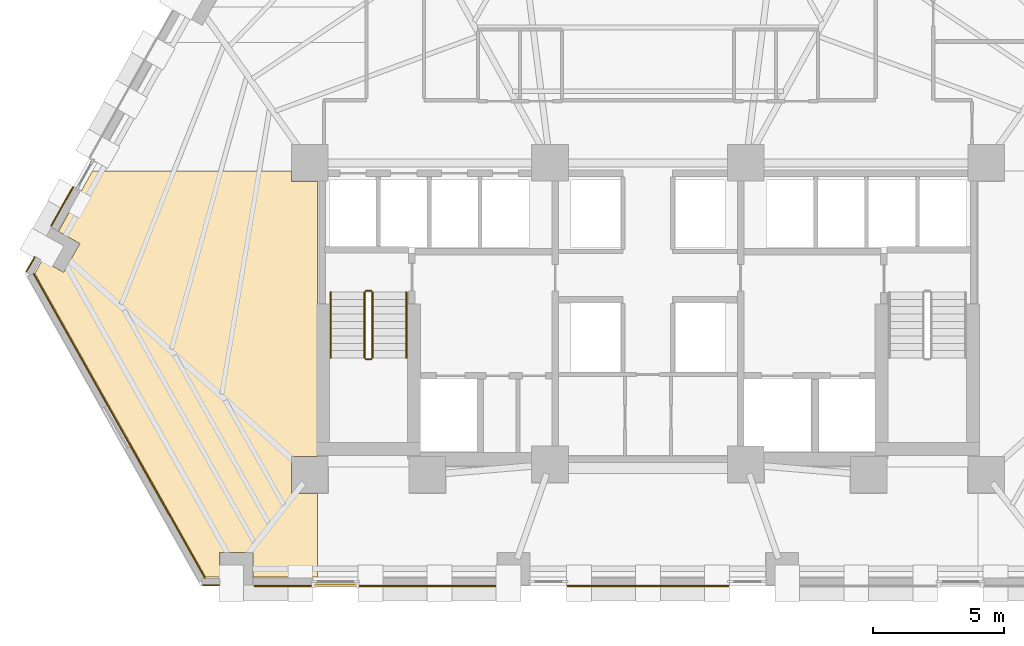
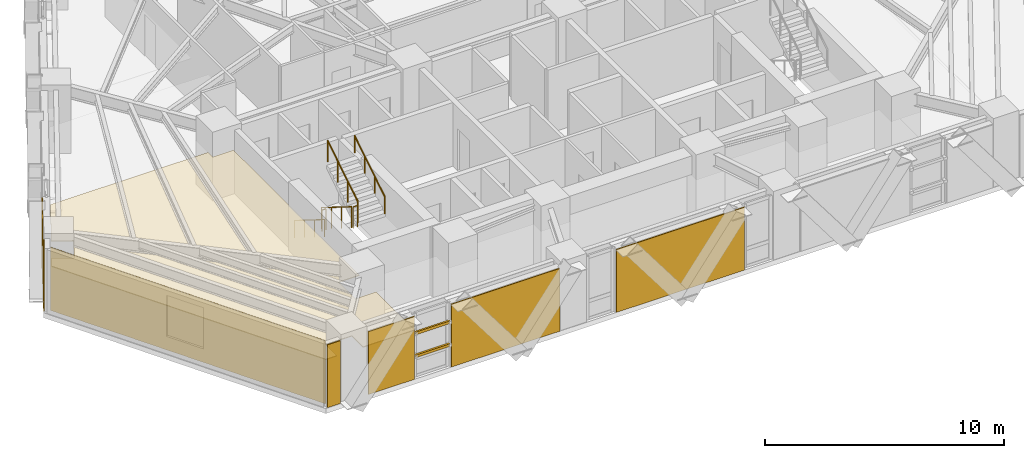
# One storey, part 10 of 13: 8 coverings, 6 railings, 2 shading devices.
"""IFC4 building model written with IfcOpenShell, lengths in metres."""

from ifc_helpers import new_model, si_unit, direction, frame, origin, origin_2d, place, context, subcontext, project, spatial, polyline, rectangle, circle, outline, extrude, material, layer, layer_set, material_profile, profile_set, type_object, element, save


model = new_model("IFC4")

# Units and contexts
model_context = context("Model", 3, precision=1e-05, world=origin(), true_north=direction((0.0, 1.0)))
body_context = subcontext(model_context, "Body", "Model", "MODEL_VIEW")
ifc_project = project(units=[si_unit("LENGTHUNIT", "METRE"), si_unit("AREAUNIT", "SQUARE_METRE"), si_unit("VOLUMEUNIT", "CUBIC_METRE"), si_unit("PLANEANGLEUNIT", "RADIAN"), si_unit("MASSUNIT", "GRAM", prefix="KILO")], contexts=[model_context])

# Site, building, storey
site_placement = place(None, origin())
site = spatial("IfcSite", under=ifc_project, at=site_placement, CompositionType="ELEMENT")
building_placement = place(site_placement, origin())
building = spatial("IfcBuilding", under=site, at=building_placement, Name="Quenlor Broadcast Tower", CompositionType="ELEMENT")
storey_placement = place(building_placement, frame((0.0, 0.0, 38.10009765625)))
storey = spatial("IfcBuildingStorey", under=building, at=storey_placement, Name="L09", CompositionType="ELEMENT", Elevation=38.10009765625)

# Covering
ifc_material_1 = material(Name="Acoustic Gypsum Board", Category="other")
ifc_layer_1 = layer(ifc_material_1, 0.0400390625)
ifc_layer_set_1 = layer_set([ifc_layer_1], Name="Broadcast Studio Spring Isolated Ceiling 40")
covering_type_1 = type_object("IfcCoveringType", Name="Broadcast Studio Spring Isolated Ceiling 40", PredefinedType="CEILING", material=ifc_layer_set_1)
covering_1_placement = place(storey_placement, frame((0.0, 0.0, 2.2099609375)))
element("IfcCovering", 1, at=covering_1_placement, inside=storey, type_object=covering_type_1, Name="L09 Acoustic Ceiling L09-40-3", PredefinedType="CEILING", context=body_context, shape_type="SweptSolid", body=[
    extrude(outline(polyline([(-13.657958984375, -5.508056640625), (-12.64990234375, -5.508056640625), (-12.64990234375, -16.0419921875), (-13.657958984375, -16.0419921875), (-13.657958984375, -17.4580078125), (-12.64990234375, -17.4580078125), (-12.64990234375, -20.659912109375), (-15.132080078125, -20.659912109375), (-15.132080078125, -19.717041015625), (-16.398193359375, -19.717041015625), (-16.398193359375, -20.659912109375), (-16.937255859375, -20.659912109375), (-23.477783203125, -9.031982421875), (-23.196533203125, -8.531982421875), (-22.374755859375, -8.994140625), (-21.754150390625, -7.890625), (-22.575927734375, -7.428466796875), (-21.27734375, -5.1201171875), (-13.657958984375, -5.1201171875), (-13.657958984375, -5.508056640625)])), origin(), (0.0, 0.0, 1.0), 0.0400390625),
])

# Shading devices
ifc_material_2 = material(Name="Architectural Terracotta Ceramic", Category="masonry")
ifc_material_profile = material_profile(ifc_material_2, rectangle(XDim=0.090087890625, YDim=0.139892578125, at=origin_2d()))
ifc_profile_set = profile_set([ifc_material_profile], Name="Architectural Terracotta Ceramic BAG90x140")
shading_device_type = type_object("IfcShadingDeviceType", Name="Copper Terracotta Baguette Solar Screen 140", PredefinedType="USERDEFINED", material=ifc_profile_set)
for number, where, z_axis, x_axis, name in (
    (2, (-11.146484375, -20.98291015625, 1.169921875), (-1.0, 0.0, 0.0), (0.0, -1.0, 0.0), "L09 Terracotta Baguette Screen 1"),
    (3, (-11.146484375, -20.98291015625, 2.33984375), (-1.0, 0.0, 0.0), (0.0, -1.0, 0.0), "L09 Terracotta Baguette Screen 2"),
):
    element("IfcShadingDevice", number, at=place(storey_placement, frame(where, z_axis=z_axis, x_axis=x_axis)), inside=storey, type_object=shading_device_type, Name=name, ObjectType="BAGUETTE", PredefinedType="USERDEFINED", context=body_context, shape_type="SweptSolid", body=[
        extrude(rectangle(XDim=0.090087890625, YDim=0.139892578125, at=origin_2d()), origin(), (0.0, 0.0, 1.0), 1.6484375),
    ])

# Coverings
ifc_material_3 = material(Name="Architectural Terracotta Ceramic", Category="masonry")
ifc_layer_2 = layer(ifc_material_3, 0.044921875)
ifc_layer_set_2 = layer_set([ifc_layer_2], Name="Fluted Terracotta Rainscreen Cladding Panel")
covering_type_2 = type_object("IfcCoveringType", Name="Fluted Terracotta Rainscreen Cladding Panel", PredefinedType="CLADDING", material=ifc_layer_set_2)
covering_2_placement = place(storey_placement, frame((0.0, 0.0, 0.02001953125)))
element("IfcCovering", 4, at=covering_2_placement, inside=storey, type_object=covering_type_2, Name="L09 Terracotta Rainscreen Cladding L09-SHD-SS1", PredefinedType="CLADDING", context=body_context, shape_type="SweptSolid", body=[
    extrude(outline(polyline([(-16.425048828125, -20.951904296875), (-17.0458984375, -20.951904296875), (-17.0458984375, -20.9970703125), (-16.425048828125, -20.9970703125), (-16.425048828125, -20.951904296875)])), origin(), (0.0, 0.0, 1.0), 3.2099609375),
])
covering_3_placement = place(storey_placement, frame((0.0, 0.0, 0.02001953125)))
element("IfcCovering", 5, at=covering_3_placement, inside=storey, type_object=covering_type_2, Name="L09 Terracotta Rainscreen Cladding L09-SC-SP1", PredefinedType="CLADDING", context=body_context, shape_type="SweptSolid", body=[
    extrude(outline(polyline([(-5.82080078125, -20.98193359375), (-11.07666015625, -20.98193359375), (-11.07666015625, -21.027099609375), (-5.82080078125, -21.027099609375), (-5.82080078125, -20.98193359375)])), origin(), (0.0, 0.0, 1.0), 3.2099609375),
])
covering_4_placement = place(storey_placement, frame((0.0, 0.0, 0.02001953125)))
element("IfcCovering", 6, at=covering_4_placement, inside=storey, type_object=covering_type_2, Name="L09 Terracotta Rainscreen Cladding L09-SC-SP2", PredefinedType="CLADDING", context=body_context, shape_type="SweptSolid", body=[
    extrude(outline(polyline([(-12.864990234375, -20.98193359375), (-15.085205078125, -20.98193359375), (-15.085205078125, -21.027099609375), (-12.864990234375, -21.027099609375), (-12.864990234375, -20.98193359375)])), origin(), (0.0, 0.0, 1.0), 3.2099609375),
])
covering_5_placement = place(storey_placement, frame((0.0, 0.0, 0.02001953125)))
element("IfcCovering", 7, at=covering_5_placement, inside=storey, type_object=covering_type_2, Name="L09 Terracotta Rainscreen Cladding L09-S-SP1", PredefinedType="CLADDING", context=body_context, shape_type="SweptSolid", body=[
    extrude(outline(polyline([(3.09619140625, -20.98193359375), (-3.09619140625, -20.98193359375), (-3.09619140625, -21.027099609375), (3.09619140625, -21.027099609375), (3.09619140625, -20.98193359375)])), origin(), (0.0, 0.0, 1.0), 3.2099609375),
])
covering_6_placement = place(storey_placement, frame((0.0, 0.0, 0.02001953125)))
element("IfcCovering", 8, at=covering_6_placement, inside=storey, type_object=covering_type_2, Name="L09 Terracotta Rainscreen Cladding L09-SHD-NWS0", PredefinedType="CLADDING", context=body_context, shape_type="SweptSolid", body=[
    extrude(outline(polyline([(-23.781982421875, -8.97705078125), (-23.464111328125, -8.412109375), (-23.50341796875, -8.39013671875), (-23.8212890625, -8.955078125), (-23.781982421875, -8.97705078125)])), origin(), (0.0, 0.0, 1.0), 3.2099609375),
])
covering_7_placement = place(storey_placement, frame((0.0, 0.0, 0.02001953125)))
element("IfcCovering", 9, at=covering_7_placement, inside=storey, type_object=covering_type_2, Name="L09 Terracotta Rainscreen Cladding L09-NWA-SP1", PredefinedType="CLADDING", context=body_context, shape_type="SweptSolid", body=[
    extrude(outline(polyline([(-22.83349609375, -7.2294921875), (-21.989013671875, -5.728271484375), (-22.0283203125, -5.706298828125), (-22.872802734375, -7.20751953125), (-22.83349609375, -7.2294921875)])), origin(), (0.0, 0.0, 1.0), 3.2099609375),
])
covering_8_placement = place(storey_placement, frame((0.0, 0.0, 0.02001953125)))
element("IfcCovering", 10, at=covering_8_placement, inside=storey, type_object=covering_type_2, Name="L09 Terracotta Rainscreen Cladding L09-CNR-04", PredefinedType="CLADDING", context=body_context, shape_type="SweptSolid", body=[
    extrude(outline(polyline([(-23.547607421875, -9.046875), (-16.98388671875, -20.71533203125), (-16.94482421875, -20.693359375), (-23.50830078125, -9.02490234375), (-23.547607421875, -9.046875)])), origin(), (0.0, 0.0, 1.0), 3.2099609375),
])

# Railings
ifc_material_4 = material(Name="Anodised Aluminium", Category="aluminium")
railing_type_1 = type_object("IfcRailingType", Name="Stainless Aluminium Wall Handrail 900", PredefinedType="HANDRAIL", material=ifc_material_4)
railing_1_placement = place(storey_placement, frame((-12.14990234375, -9.75, 0.1748046875)))
element("IfcRailing", 11, at=railing_1_placement, inside=storey, type_object=railing_type_1, Name="L09 ST-1 stair handrail 1", PredefinedType="HANDRAIL", context=body_context, shape_type="SweptSolid", body=[
    extrude(circle(Radius=0.02392578125, at=origin_2d()), frame((0.0, 0.0, 0.8759765625), z_axis=(0.0, -0.847970611238, 0.530043245855), x_axis=(1.0, 0.0, 0.0)), (0.0, 0.0, 1.0), 2.971923828125),
    extrude(circle(Radius=0.02099609375, at=origin_2d()), origin(), (0.0, 0.0, 1.0), 0.851806640625),
    extrude(circle(Radius=0.02099609375, at=origin_2d()), frame((0.0, -0.840087890625, 0.525146484375)), (0.0, 0.0, 1.0), 0.851806640625),
    extrude(circle(Radius=0.02099609375, at=origin_2d()), frame((0.0, -1.679931640625, 1.050048828125)), (0.0, 0.0, 1.0), 0.851806640625),
    extrude(circle(Radius=0.02099609375, at=origin_2d()), frame((0.0, -2.52001953125, 1.5751953125)), (0.0, 0.0, 1.0), 0.851806640625),
])
railing_2_placement = place(storey_placement, frame((-9.25, -12.27001953125, 1.9248046875)))
element("IfcRailing", 12, at=railing_2_placement, inside=storey, type_object=railing_type_1, Name="L09 ST-1 stair handrail 2", PredefinedType="HANDRAIL", context=body_context, shape_type="SweptSolid", body=[
    extrude(circle(Radius=0.02392578125, at=origin_2d()), frame((0.0, 0.0, 0.8759765625), z_axis=(0.0, 0.847970611238, 0.530043245855), x_axis=(-1.0, 0.0, 0.0)), (0.0, 0.0, 1.0), 2.971923828125),
    extrude(circle(Radius=0.02099609375, at=origin_2d()), origin(), (0.0, 0.0, 1.0), 0.851806640625),
    extrude(circle(Radius=0.02099609375, at=origin_2d()), frame((0.0, 0.840087890625, 0.525146484375)), (0.0, 0.0, 1.0), 0.851806640625),
    extrude(circle(Radius=0.02099609375, at=origin_2d()), frame((0.0, 1.679931640625, 1.050048828125)), (0.0, 0.0, 1.0), 0.851806640625),
    extrude(circle(Radius=0.02099609375, at=origin_2d()), frame((0.0, 2.52001953125, 1.5751953125)), (0.0, 0.0, 1.0), 0.851806640625),
])
ifc_material_5 = material(Name="Steel S355", Category="steel")
railing_type_2 = type_object("IfcRailingType", Name="Tubular Steel S355 Stair Guardrail 1100", PredefinedType="BALUSTRADE", material=ifc_material_5)
railing_3_placement = place(storey_placement, frame((-10.85009765625, -9.75, 0.1748046875)))
element("IfcRailing", 13, at=railing_3_placement, inside=storey, type_object=railing_type_2, Name="L09 ST-1 stair guard 1", PredefinedType="BALUSTRADE", context=body_context, shape_type="SweptSolid", body=[
    extrude(circle(Radius=0.02392578125, at=origin_2d()), frame((0.0, 0.0, 1.076171875), z_axis=(0.0, -0.847970611238, 0.530043245855), x_axis=(1.0, 0.0, 0.0)), (0.0, 0.0, 1.0), 2.971923828125),
    extrude(circle(Radius=0.02099609375, at=origin_2d()), origin(), (0.0, 0.0, 1.0), 1.052001953125),
    extrude(circle(Radius=0.02099609375, at=origin_2d()), frame((0.0, -0.840087890625, 0.525146484375)), (0.0, 0.0, 1.0), 1.052001953125),
    extrude(circle(Radius=0.02099609375, at=origin_2d()), frame((0.0, -1.679931640625, 1.050048828125)), (0.0, 0.0, 1.0), 1.052001953125),
    extrude(circle(Radius=0.02099609375, at=origin_2d()), frame((0.0, -2.52001953125, 1.5751953125)), (0.0, 0.0, 1.0), 1.052001953125),
])
railing_4_placement = place(storey_placement, frame((-10.800048828125, -12.320068359375, 1.75)))
element("IfcRailing", 14, at=railing_4_placement, inside=storey, type_object=railing_type_2, Name="L09 ST-1 stair guard 2", PredefinedType="BALUSTRADE", context=body_context, shape_type="SweptSolid", body=[
    extrude(circle(Radius=0.02392578125, at=origin_2d()), frame((0.0, 0.0, 1.076171875), z_axis=(1.0, 0.0, 0.0), x_axis=(0.0, 1.0, 0.0)), (0.0, 0.0, 1.0), 0.199951171875),
    extrude(circle(Radius=0.02099609375, at=origin_2d()), origin(), (0.0, 0.0, 1.0), 1.052001953125),
    extrude(circle(Radius=0.02099609375, at=origin_2d()), frame((0.199951171875, 0.0, 0.0)), (0.0, 0.0, 1.0), 1.052001953125),
])
railing_5_placement = place(storey_placement, frame((-10.550048828125, -12.27001953125, 1.9248046875)))
element("IfcRailing", 15, at=railing_5_placement, inside=storey, type_object=railing_type_2, Name="L09 ST-1 stair guard 3", PredefinedType="BALUSTRADE", context=body_context, shape_type="SweptSolid", body=[
    extrude(circle(Radius=0.02392578125, at=origin_2d()), frame((0.0, 0.0, 1.076171875), z_axis=(0.0, 0.847970611238, 0.530043245855), x_axis=(-1.0, 0.0, 0.0)), (0.0, 0.0, 1.0), 2.971923828125),
    extrude(circle(Radius=0.02099609375, at=origin_2d()), origin(), (0.0, 0.0, 1.0), 1.052001953125),
    extrude(circle(Radius=0.02099609375, at=origin_2d()), frame((0.0, 0.840087890625, 0.525146484375)), (0.0, 0.0, 1.0), 1.052001953125),
    extrude(circle(Radius=0.02099609375, at=origin_2d()), frame((0.0, 1.679931640625, 1.050048828125)), (0.0, 0.0, 1.0), 1.052001953125),
    extrude(circle(Radius=0.02099609375, at=origin_2d()), frame((0.0, 2.52001953125, 1.5751953125)), (0.0, 0.0, 1.0), 1.052001953125),
])
railing_6_placement = place(storey_placement, frame((-10.800048828125, -9.699951171875, 0.0)))
element("IfcRailing", 16, at=railing_6_placement, inside=storey, type_object=railing_type_2, Name="L09 ST-1 stair guard 4", PredefinedType="BALUSTRADE", context=body_context, shape_type="SweptSolid", body=[
    extrude(circle(Radius=0.02392578125, at=origin_2d()), frame((0.0, 0.0, 1.076171875), z_axis=(1.0, 0.0, 0.0), x_axis=(0.0, 1.0, 0.0)), (0.0, 0.0, 1.0), 0.199951171875),
    extrude(circle(Radius=0.02099609375, at=origin_2d()), origin(), (0.0, 0.0, 1.0), 1.052001953125),
    extrude(circle(Radius=0.02099609375, at=origin_2d()), frame((0.199951171875, 0.0, 0.0)), (0.0, 0.0, 1.0), 1.052001953125),
])

save(model, "model.ifc")
